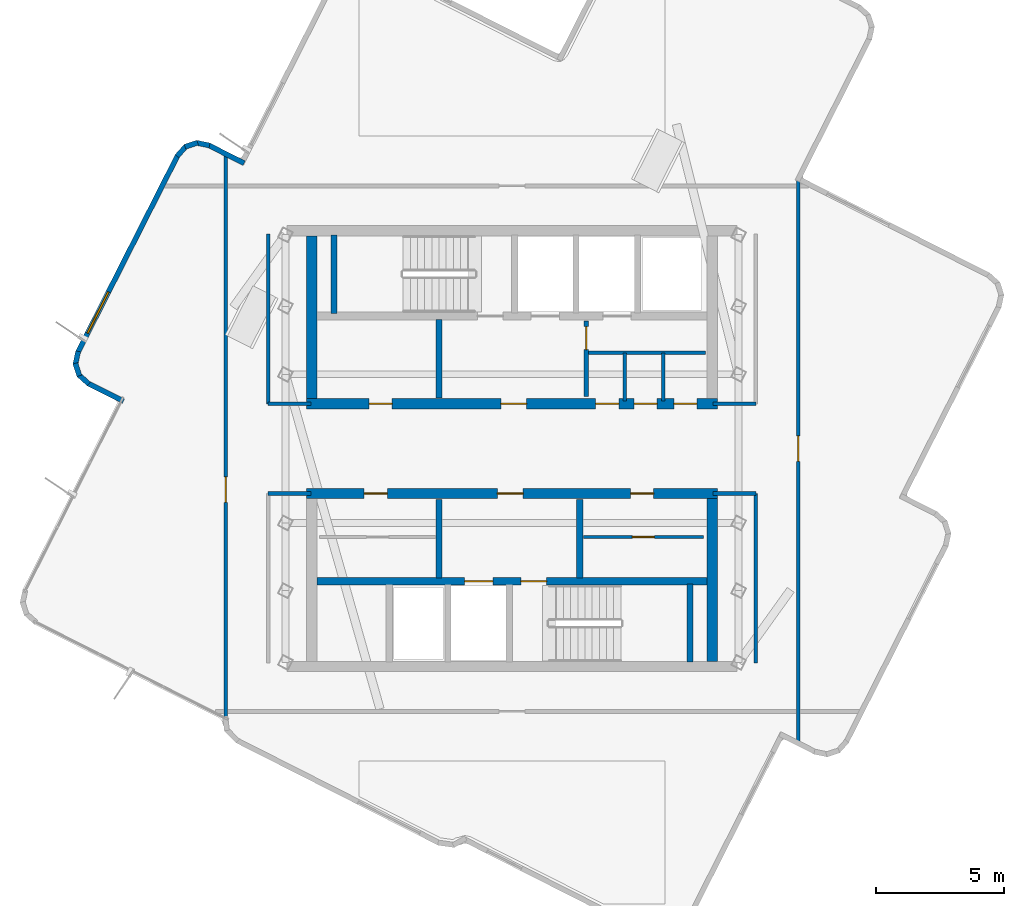
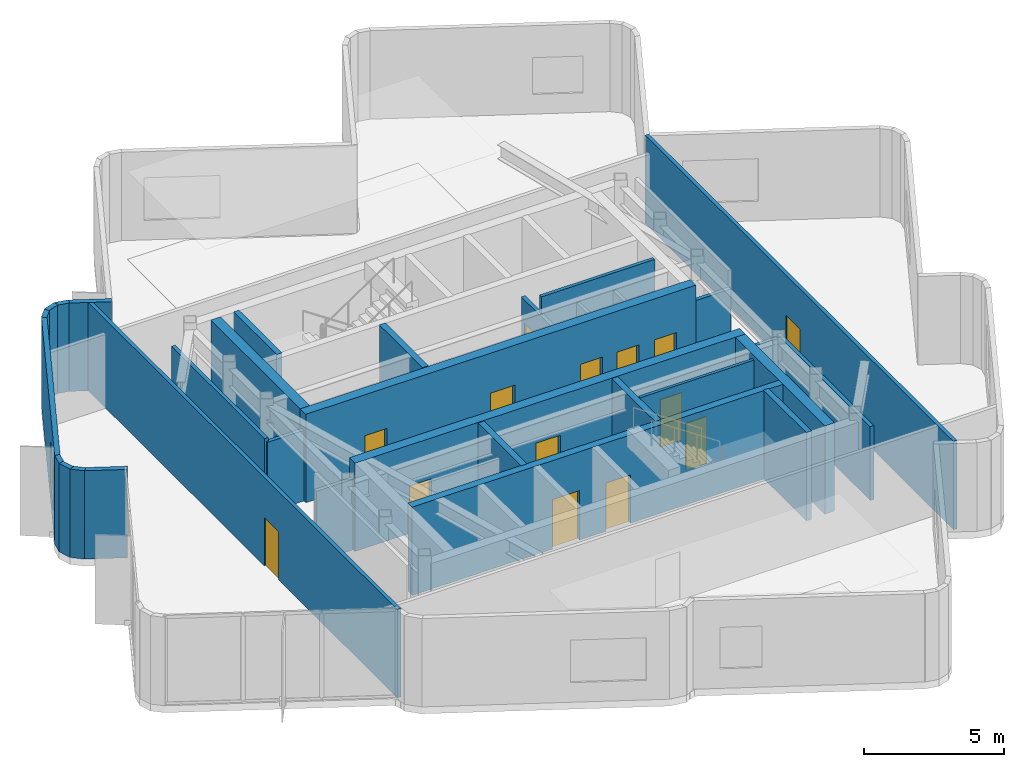
# One storey, part 3 of 8: 32 walls, 14 doors, 1 window, 15 openings.
"""IFC4 building model written with IfcOpenShell, lengths in metres."""

from ifc_helpers import new_model, si_unit, direction, frame, frame_2d, origin, place, context, subcontext, project, spatial, rectangle, extrude, material, layer, layer_set, type_object, element, fill, save


model = new_model("IFC4")

# Units and contexts
model_context = context("Model", 3, precision=1e-05, world=origin(), true_north=direction((0.0, 1.0)))
body_context = subcontext(model_context, "Body", "Model", "MODEL_VIEW")
ifc_project = project(units=[si_unit("LENGTHUNIT", "METRE"), si_unit("AREAUNIT", "SQUARE_METRE"), si_unit("VOLUMEUNIT", "CUBIC_METRE"), si_unit("PLANEANGLEUNIT", "RADIAN"), si_unit("MASSUNIT", "GRAM", prefix="KILO")], contexts=[model_context])

# Site, building, storey
site_placement = place(None, origin())
site = spatial("IfcSite", under=ifc_project, at=site_placement, CompositionType="ELEMENT")
building_placement = place(site_placement, origin())
building = spatial("IfcBuilding", under=site, at=building_placement, Name="Solmarez Civic Tower", CompositionType="ELEMENT")
storey_placement = place(building_placement, frame((0.0, 0.0, 289.260009765625)))
storey = spatial("IfcBuildingStorey", under=building, at=storey_placement, Name="L78 Crown", CompositionType="ELEMENT", Elevation=289.260009765625)

# Wall, openings, doors
ifc_material_1 = material(Name="Concrete C50/60", Category="concrete")
ifc_layer_1 = layer(ifc_material_1, 0.39990234375)
ifc_layer_set_1 = layer_set([ifc_layer_1], Name="Concrete C50/60")
wall_type_1 = type_object("IfcWallType", Name="WALL-CORE-400", PredefinedType="SHEAR", material=ifc_layer_set_1)
wall_1_placement = place(storey_placement, frame((8.02001953125, 1.75, 0.0), z_axis=(0.0, 0.0, 1.0), x_axis=(-1.0, 0.0, 0.0)))
wall_1 = element("IfcWall", 1, at=wall_1_placement, inside=storey, type_object=wall_type_1, Name="L78 Crown Split-Core Structural Wall NCW-S-L78 Crown", PredefinedType="SHEAR", context=body_context, shape_type="SweptSolid", body=[
    extrude(rectangle(XDim=16.0400390625, YDim=0.39990234375, at=frame_2d((8.02001953125, 0.0))), origin(), (0.0, 0.0, 1.0), 3.840087890625),
])
opening_1_placement = place(wall_1_placement, frame((7.449951171875, 0.0, 0.0)))
opening_1 = element("IfcOpeningElement", 2, at=opening_1_placement, cuts=wall_1, Name="Opening D-04", PredefinedType="OPENING", context=body_context, shape_type="SweptSolid", body=[
    extrude(rectangle(XDim=1.0, YDim=2.10009765625, at=frame_2d((0.5, 1.050048828125))), frame((0.0, 0.2099609375, 0.0), z_axis=(0.0, -1.0, 0.0), x_axis=(1.0, 0.0, 0.0)), (0.0, 0.0, 1.0), 0.419921875),
])
opening_2_placement = place(wall_1_placement, frame((12.699951171875, 0.0, 0.0)))
opening_2 = element("IfcOpeningElement", 3, at=opening_2_placement, cuts=wall_1, Name="Opening D-09", PredefinedType="OPENING", context=body_context, shape_type="SweptSolid", body=[
    extrude(rectangle(XDim=0.89990234375, YDim=2.06005859375, at=frame_2d((0.449951171875, 1.030029296875))), frame((0.0, 0.2099609375, 0.0), z_axis=(0.0, -1.0, 0.0), x_axis=(1.0, 0.0, 0.0)), (0.0, 0.0, 1.0), 0.419921875),
])
opening_3_placement = place(wall_1_placement, frame((3.85009765625, 0.0, 0.0)))
opening_3 = element("IfcOpeningElement", 4, at=opening_3_placement, cuts=wall_1, Name="Opening D-09", PredefinedType="OPENING", context=body_context, shape_type="SweptSolid", body=[
    extrude(rectangle(XDim=0.89990234375, YDim=2.06005859375, at=frame_2d((0.449951171875, 1.030029296875))), frame((0.0, 0.2099609375, 0.0), z_axis=(0.0, -1.0, 0.0), x_axis=(1.0, 0.0, 0.0)), (0.0, 0.0, 1.0), 0.419921875),
])
opening_4_placement = place(wall_1_placement, frame((2.35009765625, 0.0, 0.0)))
opening_4 = element("IfcOpeningElement", 5, at=opening_4_placement, cuts=wall_1, Name="Opening D-09", PredefinedType="OPENING", context=body_context, shape_type="SweptSolid", body=[
    extrude(rectangle(XDim=0.89990234375, YDim=2.06005859375, at=frame_2d((0.449951171875, 1.030029296875))), frame((0.0, 0.2099609375, 0.0), z_axis=(0.0, -1.0, 0.0), x_axis=(1.0, 0.0, 0.0)), (0.0, 0.0, 1.0), 0.419921875),
])
opening_5_placement = place(wall_1_placement, frame((0.800048828125, 0.0, 0.0)))
opening_5 = element("IfcOpeningElement", 6, at=opening_5_placement, cuts=wall_1, Name="Opening D-09", PredefinedType="OPENING", context=body_context, shape_type="SweptSolid", body=[
    extrude(rectangle(XDim=0.89990234375, YDim=2.06005859375, at=frame_2d((0.449951171875, 1.030029296875))), frame((0.0, 0.2099609375, 0.0), z_axis=(0.0, -1.0, 0.0), x_axis=(1.0, 0.0, 0.0)), (0.0, 0.0, 1.0), 0.419921875),
])
ifc_material_2 = material(Name="Steel-Faced Acoustic Fire Door", Category="steel")
door_type_1 = type_object("IfcDoorType", Name="DOOR-FD60-1000", OperationType="NOTDEFINED", PredefinedType="DOOR", material=ifc_material_2)
door_1_placement = place(opening_1_placement, origin())
door_1 = element("IfcDoor", 7, at=door_1_placement, inside=storey, type_object=door_type_1, Name="L78 Crown North Firefighting Lobby Door", OperationType="SINGLE_SWING_LEFT", OverallHeight=2.10009765625, OverallWidth=1.0, PredefinedType="DOOR", context=body_context, shape_type="SweptSolid", body=[
    extrude(rectangle(XDim=1.0, YDim=2.10009765625, at=frame_2d((0.5, 1.050048828125))), frame((0.0, 0.02490234375, 0.0), z_axis=(0.0, -1.0, 0.0), x_axis=(1.0, 0.0, 0.0)), (0.0, 0.0, 1.0), 0.050048828125),
])
fill(opening_1, door_1)
ifc_material_3 = material(Name="Fire-Rated Service Core Door", Category="wood")
door_type_2 = type_object("IfcDoorType", Name="DOOR-FD60-900", OperationType="NOTDEFINED", PredefinedType="DOOR", material=ifc_material_3)
door_2_placement = place(opening_2_placement, origin())
door_2 = element("IfcDoor", 8, at=door_2_placement, inside=storey, type_object=door_type_2, Name="L78 Crown Crown Catering Pantry Door", OperationType="SINGLE_SWING_LEFT", OverallHeight=2.06005859375, OverallWidth=0.89990234375, PredefinedType="DOOR", context=body_context, shape_type="SweptSolid", body=[
    extrude(rectangle(XDim=0.89990234375, YDim=2.06005859375, at=frame_2d((0.449951171875, 1.030029296875))), frame((0.0, 0.02490234375, 0.0), z_axis=(0.0, -1.0, 0.0), x_axis=(1.0, 0.0, 0.0)), (0.0, 0.0, 1.0), 0.050048828125),
])
fill(opening_2, door_2)
door_3_placement = place(opening_3_placement, origin())
door_3 = element("IfcDoor", 9, at=door_3_placement, inside=storey, type_object=door_type_2, Name="L78 Crown Core WC Door", OperationType="SINGLE_SWING_RIGHT", OverallHeight=2.06005859375, OverallWidth=0.89990234375, PredefinedType="DOOR", context=body_context, shape_type="SweptSolid", body=[
    extrude(rectangle(XDim=0.89990234375, YDim=2.06005859375, at=frame_2d((0.449951171875, 1.030029296875))), frame((0.0, 0.02490234375, 0.0), z_axis=(0.0, -1.0, 0.0), x_axis=(1.0, 0.0, 0.0)), (0.0, 0.0, 1.0), 0.050048828125),
])
fill(opening_3, door_3)
door_4_placement = place(opening_4_placement, origin())
door_4 = element("IfcDoor", 10, at=door_4_placement, inside=storey, type_object=door_type_2, Name="L78 Crown Core CL Door", OperationType="SINGLE_SWING_LEFT", OverallHeight=2.06005859375, OverallWidth=0.89990234375, PredefinedType="DOOR", context=body_context, shape_type="SweptSolid", body=[
    extrude(rectangle(XDim=0.89990234375, YDim=2.06005859375, at=frame_2d((0.449951171875, 1.030029296875))), frame((0.0, 0.02490234375, 0.0), z_axis=(0.0, -1.0, 0.0), x_axis=(1.0, 0.0, 0.0)), (0.0, 0.0, 1.0), 0.050048828125),
])
fill(opening_4, door_4)
door_5_placement = place(opening_5_placement, origin())
door_5 = element("IfcDoor", 11, at=door_5_placement, inside=storey, type_object=door_type_2, Name="L78 Crown Core IT Door", OperationType="SINGLE_SWING_LEFT", OverallHeight=2.06005859375, OverallWidth=0.89990234375, PredefinedType="DOOR", context=body_context, shape_type="SweptSolid", body=[
    extrude(rectangle(XDim=0.89990234375, YDim=2.06005859375, at=frame_2d((0.449951171875, 1.030029296875))), frame((0.0, 0.02490234375, 0.0), z_axis=(0.0, -1.0, 0.0), x_axis=(1.0, 0.0, 0.0)), (0.0, 0.0, 1.0), 0.050048828125),
])
fill(opening_5, door_5)

# Wall
wall_2_placement = place(storey_placement, frame((-7.820068359375, 1.949951171875, 0.0), z_axis=(0.0, 0.0, 1.0), x_axis=(0.0, 1.0, 0.0)))
element("IfcWall", 12, at=wall_2_placement, inside=storey, type_object=wall_type_1, Name="L78 Crown Split-Core Structural Wall NCW-W-L78 Crown", PredefinedType="SHEAR", context=body_context, shape_type="SweptSolid", body=[
    extrude(rectangle(XDim=6.360107421875, YDim=0.39990234375, at=frame_2d((3.18017578125, 0.0))), origin(), (0.0, 0.0, 1.0), 3.840087890625),
])

# Wall, openings, doors
wall_3_placement = place(storey_placement, frame((-8.02001953125, -1.75, 0.0), z_axis=(0.0, 0.0, 1.0), x_axis=(1.0, 0.0, 0.0)))
wall_3 = element("IfcWall", 13, at=wall_3_placement, inside=storey, type_object=wall_type_1, Name="L78 Crown Split-Core Structural Wall SCW-N-L78 Crown", PredefinedType="SHEAR", context=body_context, shape_type="SweptSolid", body=[
    extrude(rectangle(XDim=16.0400390625, YDim=0.39990234375, at=frame_2d((8.02001953125, 0.0))), origin(), (0.0, 0.0, 1.0), 3.840087890625),
])
opening_6_placement = place(wall_3_placement, frame((7.449951171875, 0.0, 0.0)))
opening_6 = element("IfcOpeningElement", 14, at=opening_6_placement, cuts=wall_3, Name="Opening D-04", PredefinedType="OPENING", context=body_context, shape_type="SweptSolid", body=[
    extrude(rectangle(XDim=1.0, YDim=2.10009765625, at=frame_2d((0.5, 1.050048828125))), frame((0.0, 0.2099609375, 0.0), z_axis=(0.0, -1.0, 0.0), x_axis=(1.0, 0.0, 0.0)), (0.0, 0.0, 1.0), 0.419921875),
])
opening_7_placement = place(wall_3_placement, frame((12.64990234375, 0.0, 0.0)))
opening_7 = element("IfcOpeningElement", 15, at=opening_7_placement, cuts=wall_3, Name="Opening D-09", PredefinedType="OPENING", context=body_context, shape_type="SweptSolid", body=[
    extrude(rectangle(XDim=0.89990234375, YDim=2.06005859375, at=frame_2d((0.449951171875, 1.030029296875))), frame((0.0, 0.2099609375, 0.0), z_axis=(0.0, -1.0, 0.0), x_axis=(1.0, 0.0, 0.0)), (0.0, 0.0, 1.0), 0.419921875),
])
opening_8_placement = place(wall_3_placement, frame((2.25, 0.0, 0.0)))
opening_8 = element("IfcOpeningElement", 16, at=opening_8_placement, cuts=wall_3, Name="Opening D-09", PredefinedType="OPENING", context=body_context, shape_type="SweptSolid", body=[
    extrude(rectangle(XDim=0.89990234375, YDim=2.06005859375, at=frame_2d((0.449951171875, 1.030029296875))), frame((0.0, 0.2099609375, 0.0), z_axis=(0.0, -1.0, 0.0), x_axis=(1.0, 0.0, 0.0)), (0.0, 0.0, 1.0), 0.419921875),
])
door_6_placement = place(opening_6_placement, origin())
door_6 = element("IfcDoor", 17, at=door_6_placement, inside=storey, type_object=door_type_1, Name="L78 Crown South Firefighting Lobby Door", OperationType="SINGLE_SWING_RIGHT", OverallHeight=2.10009765625, OverallWidth=1.0, PredefinedType="DOOR", context=body_context, shape_type="SweptSolid", body=[
    extrude(rectangle(XDim=1.0, YDim=2.10009765625, at=frame_2d((0.5, 1.050048828125))), frame((0.0, 0.02490234375, 0.0), z_axis=(0.0, -1.0, 0.0), x_axis=(1.0, 0.0, 0.0)), (0.0, 0.0, 1.0), 0.050048828125),
])
fill(opening_6, door_6)
door_7_placement = place(opening_7_placement, origin())
door_7 = element("IfcDoor", 18, at=door_7_placement, inside=storey, type_object=door_type_2, Name="L78 Crown Freed Hoistway Mailroom Door", OperationType="SINGLE_SWING_LEFT", OverallHeight=2.06005859375, OverallWidth=0.89990234375, PredefinedType="DOOR", context=body_context, shape_type="SweptSolid", body=[
    extrude(rectangle(XDim=0.89990234375, YDim=2.06005859375, at=frame_2d((0.449951171875, 1.030029296875))), frame((0.0, 0.02490234375, 0.0), z_axis=(0.0, -1.0, 0.0), x_axis=(1.0, 0.0, 0.0)), (0.0, 0.0, 1.0), 0.050048828125),
])
fill(opening_7, door_7)
door_8_placement = place(opening_8_placement, origin())
door_8 = element("IfcDoor", 19, at=door_8_placement, inside=storey, type_object=door_type_2, Name="L78 Crown Staff Kitchenette Pantry Door", OperationType="SINGLE_SWING_RIGHT", OverallHeight=2.06005859375, OverallWidth=0.89990234375, PredefinedType="DOOR", context=body_context, shape_type="SweptSolid", body=[
    extrude(rectangle(XDim=0.89990234375, YDim=2.06005859375, at=frame_2d((0.449951171875, 1.030029296875))), frame((0.0, 0.02490234375, 0.0), z_axis=(0.0, -1.0, 0.0), x_axis=(1.0, 0.0, 0.0)), (0.0, 0.0, 1.0), 0.050048828125),
])
fill(opening_8, door_8)

# Walls
wall_4_placement = place(storey_placement, frame((7.820068359375, -1.949951171875, 0.0), z_axis=(0.0, 0.0, 1.0), x_axis=(0.0, -1.0, 0.0)))
element("IfcWall", 20, at=wall_4_placement, inside=storey, type_object=wall_type_1, Name="L78 Crown Split-Core Structural Wall SCW-E-L78 Crown", PredefinedType="SHEAR", context=body_context, shape_type="SweptSolid", body=[
    extrude(rectangle(XDim=6.360107421875, YDim=0.39990234375, at=frame_2d((3.18017578125, 0.0))), origin(), (0.0, 0.0, 1.0), 3.840087890625),
])
ifc_material_4 = material(Name="Precast concrete C40/50", Category="concrete")
ifc_layer_2 = layer(ifc_material_4, 0.199951171875)
ifc_layer_set_2 = layer_set([ifc_layer_2], Name="Precast concrete C40/50")
wall_type_2 = type_object("IfcWallType", Name="WALL-EXT-200", PredefinedType="SOLIDWALL", material=ifc_layer_set_2)
wall_5_placement = place(storey_placement, frame((-15.173095703125, 1.85009765625, 0.0), z_axis=(0.0, 0.0, 1.0), x_axis=(-0.892006356627, 0.452022853113, 0.0)))
element("IfcWall", 21, at=wall_5_placement, inside=storey, type_object=wall_type_2, Name="L78 Crown Exterior Precast Wall 10", PredefinedType="SOLIDWALL", context=body_context, shape_type="SweptSolid", body=[
    extrude(rectangle(XDim=1.5615234375, YDim=0.199951171875, at=frame_2d((0.78076171875, 0.0))), origin(), (0.0, 0.0, 1.0), 3.840087890625),
])
wall_6_placement = place(storey_placement, frame((-16.52490234375, 2.528076171875, 0.0), z_axis=(0.0, 0.0, 1.0), x_axis=(-0.743983074, 0.668198462735, 0.0)))
element("IfcWall", 22, at=wall_6_placement, inside=storey, type_object=wall_type_2, Name="L78 Crown Exterior Precast Wall 11", PredefinedType="SOLIDWALL", context=body_context, shape_type="SweptSolid", body=[
    extrude(rectangle(XDim=0.5283203125, YDim=0.199951171875, at=frame_2d((0.26416015625, 0.0))), origin(), (0.0, 0.0, 1.0), 3.840087890625),
])
wall_7_placement = place(storey_placement, frame((-16.89111328125, 2.840087890625, 0.0), z_axis=(0.0, 0.0, 1.0), x_axis=(-0.312526265177, 0.949909118587, 0.0)))
element("IfcWall", 23, at=wall_7_placement, inside=storey, type_object=wall_type_2, Name="L78 Crown Exterior Precast Wall 12", PredefinedType="SOLIDWALL", context=body_context, shape_type="SweptSolid", body=[
    extrude(rectangle(XDim=0.514892578125, YDim=0.199951171875, at=frame_2d((0.25732421875, 0.0))), origin(), (0.0, 0.0, 1.0), 3.840087890625),
])
wall_8_placement = place(storey_placement, frame((-17.049072265625, 3.281005859375, 0.0), z_axis=(0.0, 0.0, 1.0), x_axis=(0.207342794077, 0.978268350579, 0.0)))
element("IfcWall", 24, at=wall_8_placement, inside=storey, type_object=wall_type_2, Name="L78 Crown Exterior Precast Wall 13", PredefinedType="SOLIDWALL", context=body_context, shape_type="SweptSolid", body=[
    extrude(rectangle(XDim=0.5263671875, YDim=0.199951171875, at=frame_2d((0.26318359375, 0.0))), origin(), (0.0, 0.0, 1.0), 3.840087890625),
])

# Wall, opening, window
wall_9_placement = place(storey_placement, frame((-16.9560546875, 3.75, 0.0), z_axis=(0.0, 0.0, 1.0), x_axis=(0.452065793094, 0.891984595559, 0.0)))
wall_9 = element("IfcWall", 25, at=wall_9_placement, inside=storey, type_object=wall_type_2, Name="L78 Crown Exterior Precast Wall 14", PredefinedType="SOLIDWALL", context=body_context, shape_type="SweptSolid", body=[
    extrude(rectangle(XDim=8.642578125, YDim=0.199951171875, at=frame_2d((4.3212890625, 0.0))), origin(), (0.0, 0.0, 1.0), 3.840087890625),
])
opening_9_placement = place(wall_9_placement, frame((0.85009765625, 0.0, 0.85009765625)))
opening_9 = element("IfcOpeningElement", 26, at=opening_9_placement, cuts=wall_9, Name="Opening W-08", PredefinedType="OPENING", context=body_context, shape_type="SweptSolid", body=[
    extrude(rectangle(XDim=1.800048828125, YDim=1.800048828125, at=frame_2d((0.89990234375, 0.89990234375))), frame((0.0, 0.10986328125, 0.0), z_axis=(0.0, -1.0, 0.0), x_axis=(1.0, 0.0, 0.0)), (0.0, 0.0, 1.0), 0.219970703125),
])
ifc_material_5 = material(Name="Solar Control Bronze-Tinted Insulating Glass", Category="glass")
window_type = type_object("IfcWindowType", Name="WIN-1800X1800", PartitioningType="SINGLE_PANEL", PredefinedType="WINDOW", material=ifc_material_5)
window_placement = place(opening_9_placement, origin())
window = element("IfcWindow", 27, at=window_placement, inside=storey, type_object=window_type, Name="L78 Crown Exterior Facade Window 14", OverallHeight=1.800048828125, OverallWidth=1.800048828125, PartitioningType="SINGLE_PANEL", PredefinedType="WINDOW", context=body_context, shape_type="SweptSolid", body=[
    extrude(rectangle(XDim=1.800048828125, YDim=1.800048828125, at=frame_2d((0.89990234375, 0.89990234375))), frame((0.0, 0.030029296875, 0.0), z_axis=(0.0, -1.0, 0.0), x_axis=(1.0, 0.0, 0.0)), (0.0, 0.0, 1.0), 0.06005859375),
])
fill(opening_9, window)

# Walls
wall_10_placement = place(storey_placement, frame((-13.076904296875, 11.41796875, 0.0), z_axis=(0.0, 0.0, 1.0), x_axis=(0.667024211776, 0.745036040004, 0.0)))
element("IfcWall", 28, at=wall_10_placement, inside=storey, type_object=wall_type_2, Name="L78 Crown Exterior Precast Wall 15", PredefinedType="SOLIDWALL", context=body_context, shape_type="SweptSolid", body=[
    extrude(rectangle(XDim=0.52880859375, YDim=0.199951171875, at=frame_2d((0.264404296875, 0.0))), origin(), (0.0, 0.0, 1.0), 3.840087890625),
])
wall_11_placement = place(storey_placement, frame((-12.764892578125, 11.784912109375, 0.0), z_axis=(0.0, 0.0, 1.0), x_axis=(0.950330805768, 0.311241641829, 0.0)))
element("IfcWall", 29, at=wall_11_placement, inside=storey, type_object=wall_type_2, Name="L78 Crown Exterior Precast Wall 16", PredefinedType="SOLIDWALL", context=body_context, shape_type="SweptSolid", body=[
    extrude(rectangle(XDim=0.5146484375, YDim=0.199951171875, at=frame_2d((0.25732421875, 0.0))), origin(), (0.0, 0.0, 1.0), 3.840087890625),
])
wall_12_placement = place(storey_placement, frame((-12.323974609375, 11.94189453125, 0.0), z_axis=(0.0, 0.0, 1.0), x_axis=(0.978736488985, -0.20512163496, 0.0)))
element("IfcWall", 30, at=wall_12_placement, inside=storey, type_object=wall_type_2, Name="L78 Crown Exterior Precast Wall 17", PredefinedType="SOLIDWALL", context=body_context, shape_type="SweptSolid", body=[
    extrude(rectangle(XDim=0.526123046875, YDim=0.199951171875, at=frame_2d((0.26318359375, 0.0))), origin(), (0.0, 0.0, 1.0), 3.840087890625),
])
wall_13_placement = place(storey_placement, frame((-11.85498046875, 11.85009765625, 0.0), z_axis=(0.0, 0.0, 1.0), x_axis=(0.891975264725, -0.452084203572, 0.0)))
element("IfcWall", 31, at=wall_13_placement, inside=storey, type_object=wall_type_2, Name="L78 Crown Exterior Precast Wall 18", PredefinedType="SOLIDWALL", context=body_context, shape_type="SweptSolid", body=[
    extrude(rectangle(XDim=1.561767578125, YDim=0.199951171875, at=frame_2d((0.78076171875, 0.0))), origin(), (0.0, 0.0, 1.0), 3.840087890625),
])
ifc_material_6 = material(Name="Gypsum Board Acoustic Steel-Stud Partition", Category="steel")
ifc_layer_3 = layer(ifc_material_6, 0.14990234375)
ifc_layer_set_3 = layer_set([ifc_layer_3], Name="Gypsum Board Acoustic Steel-Stud Partition")
wall_type_3 = type_object("IfcWallType", Name="WALL-INT-FIRE-150", PredefinedType="PARTITIONING", material=ifc_layer_set_3)
wall_14_placement = place(storey_placement, frame((-9.52001953125, 1.75, 0.0), z_axis=(0.0, 0.0, 1.0), x_axis=(0.0, 1.0, 0.0)))
element("IfcWall", 32, at=wall_14_placement, inside=storey, type_object=wall_type_3, Name="L78 Crown Interior Partition CHW-L78 Crown-WN1", PredefinedType="PARTITIONING", context=body_context, shape_type="SweptSolid", body=[
    extrude(rectangle(XDim=6.6298828125, YDim=0.14990234375, at=frame_2d((3.31494140625, 0.0))), origin(), (0.0, 0.0, 1.0), 3.2099609375),
])
for number, where, z_axis, x_axis, name in (
    (33, (-7.85009765625, 1.75, 0.0), (0.0, 0.0, 1.0), (-1.0, 0.0, 0.0), "L78 Crown Interior Partition CHW-L78 Crown-WN3"),
    (34, (-7.85009765625, -1.75, 0.0), (0.0, 0.0, 1.0), (-1.0, 0.0, 0.0), "L78 Crown Interior Partition CHW-L78 Crown-WS3"),
    (35, (7.85009765625, 1.75, 0.0), (0.0, 0.0, 1.0), (1.0, 0.0, 0.0), "L78 Crown Interior Partition CHW-L78 Crown-EN3"),
):
    element("IfcWall", number, at=place(storey_placement, frame(where, z_axis=z_axis, x_axis=x_axis)), inside=storey, type_object=wall_type_3, Name=name, PredefinedType="PARTITIONING", context=body_context, shape_type="SweptSolid", body=[
        extrude(rectangle(XDim=1.669921875, YDim=0.14990234375, at=frame_2d((0.8349609375, 0.0))), origin(), (0.0, 0.0, 1.0), 3.070068359375),
    ])
wall_15_placement = place(storey_placement, frame((9.52001953125, -8.3798828125, 0.0), z_axis=(0.0, 0.0, 1.0), x_axis=(0.0, 1.0, 0.0)))
element("IfcWall", 36, at=wall_15_placement, inside=storey, type_object=wall_type_3, Name="L78 Crown Interior Partition CHW-L78 Crown-ES1", PredefinedType="PARTITIONING", context=body_context, shape_type="SweptSolid", body=[
    extrude(rectangle(XDim=6.6298828125, YDim=0.14990234375, at=frame_2d((3.31494140625, 0.0))), origin(), (0.0, 0.0, 1.0), 3.2099609375),
])
wall_16_placement = place(storey_placement, frame((7.85009765625, -1.75, 0.0), z_axis=(0.0, 0.0, 1.0), x_axis=(1.0, 0.0, 0.0)))
element("IfcWall", 37, at=wall_16_placement, inside=storey, type_object=wall_type_3, Name="L78 Crown Interior Partition CHW-L78 Crown-ES3", PredefinedType="PARTITIONING", context=body_context, shape_type="SweptSolid", body=[
    extrude(rectangle(XDim=1.669921875, YDim=0.14990234375, at=frame_2d((0.8349609375, 0.0))), origin(), (0.0, 0.0, 1.0), 3.070068359375),
])

# Wall, opening, door
wall_17_placement = place(storey_placement, frame((11.179931640625, 10.52197265625, 0.0), z_axis=(0.0, 0.0, 1.0), x_axis=(0.0, -1.0, 0.0)))
wall_17 = element("IfcWall", 38, at=wall_17_placement, inside=storey, type_object=wall_type_3, Name="L78 Crown Interior Partition PT-L78 Crown-E", PredefinedType="PARTITIONING", context=body_context, shape_type="SweptSolid", body=[
    extrude(rectangle(XDim=21.95703125, YDim=0.14990234375, at=frame_2d((10.978515625, 0.0))), origin(), (0.0, 0.0, 1.0), 3.840087890625),
])
opening_10_placement = place(wall_17_placement, frame((10.02197265625, 0.0, 0.0)))
opening_10 = element("IfcOpeningElement", 39, at=opening_10_placement, cuts=wall_17, Name="Opening D-04", PredefinedType="OPENING", context=body_context, shape_type="SweptSolid", body=[
    extrude(rectangle(XDim=1.0, YDim=2.10009765625, at=frame_2d((0.5, 1.050048828125))), frame((0.0, 0.0849609375, 0.0), z_axis=(0.0, -1.0, 0.0), x_axis=(1.0, 0.0, 0.0)), (0.0, 0.0, 1.0), 0.169921875),
])
door_9_placement = place(opening_10_placement, origin())
door_9 = element("IfcDoor", 40, at=door_9_placement, inside=storey, type_object=door_type_1, Name="L78 Crown Botanical Conservatory Garden Door", OperationType="SINGLE_SWING_LEFT", OverallHeight=2.10009765625, OverallWidth=1.0, PredefinedType="DOOR", context=body_context, shape_type="SweptSolid", body=[
    extrude(rectangle(XDim=1.0, YDim=2.10009765625, at=frame_2d((0.5, 1.050048828125))), frame((0.0, 0.02490234375, 0.0), z_axis=(0.0, -1.0, 0.0), x_axis=(1.0, 0.0, 0.0)), (0.0, 0.0, 1.0), 0.050048828125),
])
fill(opening_10, door_9)

wall_18_placement = place(storey_placement, frame((-11.179931640625, -10.568115234375, 0.0), z_axis=(0.0, 0.0, 1.0), x_axis=(0.0, 1.0, 0.0)))
wall_18 = element("IfcWall", 41, at=wall_18_placement, inside=storey, type_object=wall_type_3, Name="L78 Crown Interior Partition PT-L78 Crown-W", PredefinedType="PARTITIONING", context=body_context, shape_type="SweptSolid", body=[
    extrude(rectangle(XDim=22.003173828125, YDim=0.14990234375, at=frame_2d((11.00146484375, 0.0))), origin(), (0.0, 0.0, 1.0), 3.840087890625),
])
opening_11_placement = place(wall_18_placement, frame((8.468017578125, 0.0, 0.0)))
opening_11 = element("IfcOpeningElement", 42, at=opening_11_placement, cuts=wall_18, Name="Opening D-04", PredefinedType="OPENING", context=body_context, shape_type="SweptSolid", body=[
    extrude(rectangle(XDim=1.0, YDim=2.10009765625, at=frame_2d((0.5, 1.050048828125))), frame((0.0, 0.0849609375, 0.0), z_axis=(0.0, -1.0, 0.0), x_axis=(1.0, 0.0, 0.0)), (0.0, 0.0, 1.0), 0.169921875),
])
door_10_placement = place(opening_11_placement, origin())
door_10 = element("IfcDoor", 43, at=door_10_placement, inside=storey, type_object=door_type_1, Name="L78 Crown Tropical Orchid Reading Garden Door", OperationType="SINGLE_SWING_LEFT", OverallHeight=2.10009765625, OverallWidth=1.0, PredefinedType="DOOR", context=body_context, shape_type="SweptSolid", body=[
    extrude(rectangle(XDim=1.0, YDim=2.10009765625, at=frame_2d((0.5, 1.050048828125))), frame((0.0, 0.02490234375, 0.0), z_axis=(0.0, -1.0, 0.0), x_axis=(1.0, 0.0, 0.0)), (0.0, 0.0, 1.0), 0.050048828125),
])
fill(opening_11, door_10)

ifc_layer_4 = layer(ifc_material_6, 0.1201171875)
ifc_layer_set_4 = layer_set([ifc_layer_4], Name="Gypsum Board Acoustic Steel-Stud Partition")
wall_type_4 = type_object("IfcWallType", Name="WALL-INT-PART-120", PredefinedType="PARTITIONING", material=ifc_layer_set_4)
wall_19_placement = place(storey_placement, frame((2.800048828125, -3.449951171875, 0.0), z_axis=(0.0, 0.0, 1.0), x_axis=(1.0, 0.0, 0.0)))
wall_19 = element("IfcWall", 44, at=wall_19_placement, inside=storey, type_object=wall_type_4, Name="L78 Crown Interior Partition PT-FPLL-L78 Crown", PredefinedType="PARTITIONING", context=body_context, shape_type="SweptSolid", body=[
    extrude(rectangle(XDim=4.679931640625, YDim=0.1201171875, at=frame_2d((2.33984375, 0.0))), origin(), (0.0, 0.0, 1.0), 3.840087890625),
])
opening_12_placement = place(wall_19_placement, frame((1.89990234375, 0.0, 0.0)))
opening_12 = element("IfcOpeningElement", 45, at=opening_12_placement, cuts=wall_19, Name="Opening D-14", PredefinedType="OPENING", context=body_context, shape_type="SweptSolid", body=[
    extrude(rectangle(XDim=0.860107421875, YDim=2.0400390625, at=frame_2d((0.43017578125, 1.02001953125))), frame((0.0, 0.070068359375, 0.0), z_axis=(0.0, -1.0, 0.0), x_axis=(1.0, 0.0, 0.0)), (0.0, 0.0, 1.0), 0.14013671875),
])
ifc_material_7 = material(Name="Timber Storage and Pantry Door", Category="wood")
door_type_3 = type_object("IfcDoorType", Name="DOOR-INT-850", OperationType="NOTDEFINED", PredefinedType="DOOR", material=ifc_material_7)
door_11_placement = place(opening_12_placement, origin())
door_11 = element("IfcDoor", 46, at=door_11_placement, inside=storey, type_object=door_type_3, Name="L78 Crown Records Filing Room Door", OperationType="SINGLE_SWING_LEFT", OverallHeight=2.0400390625, OverallWidth=0.860107421875, PredefinedType="DOOR", context=body_context, shape_type="SweptSolid", body=[
    extrude(rectangle(XDim=0.860107421875, YDim=2.0400390625, at=frame_2d((0.43017578125, 1.02001953125))), frame((0.0, 0.02490234375, 0.0), z_axis=(0.0, -1.0, 0.0), x_axis=(1.0, 0.0, 0.0)), (0.0, 0.0, 1.0), 0.050048828125),
])
fill(opening_12, door_11)

ifc_layer_5 = layer(ifc_material_6, 0.159912109375)
ifc_layer_set_5 = layer_set([ifc_layer_5], Name="Gypsum Board Acoustic Steel-Stud Partition")
wall_type_5 = type_object("IfcWallType", Name="WALL-INT-SHAFT-160", PredefinedType="PARTITIONING", material=ifc_layer_set_5)
wall_20_placement = place(storey_placement, frame((2.89990234375, 2.0400390625, 0.0), z_axis=(0.0, 0.0, 1.0), x_axis=(0.0, 1.0, 0.0)))
wall_20 = element("IfcWall", 47, at=wall_20_placement, inside=storey, type_object=wall_type_5, Name="L78 Crown Interior Partition SHW-NL2-L78 Crown", PredefinedType="PARTITIONING", context=body_context, shape_type="SweptSolid", body=[
    extrude(rectangle(XDim=2.93994140625, YDim=0.159912109375, at=frame_2d((1.469970703125, 0.0))), origin(), (0.0, 0.0, 1.0), 3.070068359375),
])
opening_13_placement = place(wall_20_placement, frame((1.820068359375, 0.0, 0.0)))
opening_13 = element("IfcOpeningElement", 48, at=opening_13_placement, cuts=wall_20, Name="Opening D-09", PredefinedType="OPENING", context=body_context, shape_type="SweptSolid", body=[
    extrude(rectangle(XDim=0.89990234375, YDim=2.06005859375, at=frame_2d((0.449951171875, 1.030029296875))), frame((0.0, 0.08984375, 0.0), z_axis=(0.0, -1.0, 0.0), x_axis=(1.0, 0.0, 0.0)), (0.0, 0.0, 1.0), 0.179931640625),
])
door_12_placement = place(opening_13_placement, origin())
door_12 = element("IfcDoor", 49, at=door_12_placement, inside=storey, type_object=door_type_2, Name="L78 Crown Service Lift Lobby Door", OperationType="SINGLE_SWING_LEFT", OverallHeight=2.06005859375, OverallWidth=0.89990234375, PredefinedType="DOOR", context=body_context, shape_type="SweptSolid", body=[
    extrude(rectangle(XDim=0.89990234375, YDim=2.06005859375, at=frame_2d((0.449951171875, 1.030029296875))), frame((0.0, 0.02490234375, 0.0), z_axis=(0.0, -1.0, 0.0), x_axis=(1.0, 0.0, 0.0)), (0.0, 0.0, 1.0), 0.050048828125),
])
fill(opening_13, door_12)

# Walls
ifc_layer_6 = layer(ifc_material_6, 0.137939453125)
ifc_layer_set_6 = layer_set([ifc_layer_6], Name="Gypsum Board Acoustic Steel-Stud Partition")
wall_type_6 = type_object("IfcWallType", Name="WALL-INT-WET-140", PredefinedType="PARTITIONING", material=ifc_layer_set_6)
wall_21_placement = place(storey_placement, frame((2.89990234375, 3.739990234375, 0.0), z_axis=(0.0, 0.0, 1.0), x_axis=(1.0, 0.0, 0.0)))
element("IfcWall", 50, at=wall_21_placement, inside=storey, type_object=wall_type_6, Name="L78 Crown Interior Partition SHW-SVH-L78 Crown", PredefinedType="PARTITIONING", context=body_context, shape_type="SweptSolid", body=[
    extrude(rectangle(XDim=4.650146484375, YDim=0.137939453125, at=frame_2d((2.3251953125, 0.0))), origin(), (0.0, 0.0, 1.0), 3.840087890625),
])
for number, where, z_axis, x_axis, name in (
    (51, (4.39990234375, 1.85009765625, 0.0), (0.0, 0.0, 1.0), (0.0, 1.0, 0.0), "L78 Crown Interior Partition PT-NCSV1-L78 Crown"),
    (52, (5.89990234375, 1.85009765625, 0.0), (0.0, 0.0, 1.0), (0.0, 1.0, 0.0), "L78 Crown Interior Partition PT-NCSV2-L78 Crown"),
):
    element("IfcWall", number, at=place(storey_placement, frame(where, z_axis=z_axis, x_axis=x_axis)), inside=storey, type_object=wall_type_6, Name=name, PredefinedType="PARTITIONING", context=body_context, shape_type="SweptSolid", body=[
        extrude(rectangle(XDim=1.889892578125, YDim=0.137939453125, at=frame_2d((0.94482421875, 0.0))), origin(), (0.0, 0.0, 1.0), 3.070068359375),
    ])

# Wall, openings, doors
ifc_layer_7 = layer(ifc_material_1, 0.300048828125)
ifc_layer_set_7 = layer_set([ifc_layer_7], Name="Concrete C50/60")
wall_type_7 = type_object("IfcWallType", Name="WALL-STR-300", PredefinedType="SOLIDWALL", material=ifc_layer_set_7)
wall_22_placement = place(storey_placement, frame((-7.6201171875, -5.179931640625, 0.0), z_axis=(0.0, 0.0, 1.0), x_axis=(1.0, 0.0, 0.0)))
wall_22 = element("IfcWall", 53, at=wall_22_placement, inside=storey, type_object=wall_type_7, Name="L78 Crown Split-Core Structural Wall SCW-M-L78 Crown", PredefinedType="SOLIDWALL", context=body_context, shape_type="SweptSolid", body=[
    extrude(rectangle(XDim=15.240234375, YDim=0.300048828125, at=frame_2d((7.6201171875, 0.0))), origin(), (0.0, 0.0, 1.0), 3.840087890625),
])
opening_14_placement = place(wall_22_placement, frame((5.77001953125, 0.0, 0.0)))
opening_14 = element("IfcOpeningElement", 54, at=opening_14_placement, cuts=wall_22, Name="Opening LD-02", PredefinedType="OPENING", context=body_context, shape_type="SweptSolid", body=[
    extrude(rectangle(XDim=1.10009765625, YDim=2.14990234375, at=frame_2d((0.550048828125, 1.074951171875))), frame((0.0, 0.159912109375, 0.0), z_axis=(0.0, -1.0, 0.0), x_axis=(1.0, 0.0, 0.0)), (0.0, 0.0, 1.0), 0.320068359375),
])
opening_15_placement = place(wall_22_placement, frame((7.969970703125, 0.0, 0.0)))
opening_15 = element("IfcOpeningElement", 55, at=opening_15_placement, cuts=wall_22, Name="Opening D-05", PredefinedType="OPENING", context=body_context, shape_type="SweptSolid", body=[
    extrude(rectangle(XDim=1.0, YDim=2.10009765625, at=frame_2d((0.5, 1.050048828125))), frame((0.0, 0.159912109375, 0.0), z_axis=(0.0, -1.0, 0.0), x_axis=(1.0, 0.0, 0.0)), (0.0, 0.0, 1.0), 0.320068359375),
])
ifc_material_8 = material(Name="Fire-Rated Stairwell Exit Door", Category="wood")
door_type_4 = type_object("IfcDoorType", Name="DOOR-FD90-1000", OperationType="NOTDEFINED", PredefinedType="DOOR", material=ifc_material_8)
door_13_placement = place(opening_15_placement, origin())
door_13 = element("IfcDoor", 56, at=door_13_placement, inside=storey, type_object=door_type_4, Name="L78 Crown South Exit Stair Door ST-2", OperationType="SINGLE_SWING_RIGHT", OverallHeight=2.10009765625, OverallWidth=1.0, PredefinedType="DOOR", context=body_context, shape_type="SweptSolid", body=[
    extrude(rectangle(XDim=1.0, YDim=2.10009765625, at=frame_2d((0.5, 1.050048828125))), frame((0.0, 0.02490234375, 0.0), z_axis=(0.0, -1.0, 0.0), x_axis=(1.0, 0.0, 0.0)), (0.0, 0.0, 1.0), 0.050048828125),
])
fill(opening_15, door_13)
ifc_material_9 = material(Name="Stainless Firefighting Lift Landing Sliding Door", Category="aluminium")
door_type_5 = type_object("IfcDoorType", Name="DOOR-LD-FF-1100", OperationType="DOUBLE_DOOR_SLIDING", PredefinedType="DOOR", material=ifc_material_9)
door_14_placement = place(opening_14_placement, origin())
door_14 = element("IfcDoor", 57, at=door_14_placement, inside=storey, type_object=door_type_5, Name="L78 Crown Firefighting Lift Landing Door FFL-2", OperationType="DOUBLE_DOOR_SLIDING", OverallHeight=2.14990234375, OverallWidth=1.10009765625, PredefinedType="DOOR", context=body_context, shape_type="SweptSolid", body=[
    extrude(rectangle(XDim=1.10009765625, YDim=2.14990234375, at=frame_2d((0.550048828125, 1.074951171875))), frame((0.0, 0.02490234375, 0.0), z_axis=(0.0, -1.0, 0.0), x_axis=(1.0, 0.0, 0.0)), (0.0, 0.0, 1.0), 0.050048828125),
])
fill(opening_14, door_14)

# Walls
for number, where, z_axis, x_axis, name in (
    (58, (-6.949951171875, 5.280029296875, 0.0), (0.0, 0.0, 1.0), (0.0, 1.0, 0.0), "L78 Crown Split-Core Structural Wall SHW-NW-L78 Crown"),
    (59, (6.949951171875, -8.340087890625, 0.0), (0.0, 0.0, 1.0), (0.0, 1.0, 0.0), "L78 Crown Split-Core Structural Wall SHW-SE-L78 Crown"),
):
    element("IfcWall", number, at=place(storey_placement, frame(where, z_axis=z_axis, x_axis=x_axis)), inside=storey, type_object=wall_type_7, Name=name, PredefinedType="SOLIDWALL", context=body_context, shape_type="SweptSolid", body=[
        extrude(rectangle(XDim=3.06005859375, YDim=0.219970703125, at=frame_2d((1.530029296875, 0.0))), origin(), (0.0, 0.0, 1.0), 3.840087890625),
    ])
for number, where, z_axis, x_axis, name in (
    (60, (-2.85009765625, 1.97998046875, 0.0), (0.0, 0.0, 1.0), (0.0, 1.0, 0.0), "L78 Crown Split-Core Structural Wall SHW-NL1-L78 Crown"),
    (61, (-2.85009765625, -5.050048828125, 0.0), (0.0, 0.0, 1.0), (0.0, 1.0, 0.0), "L78 Crown Split-Core Structural Wall SHW-SL1-L78 Crown"),
    (62, (2.64990234375, -5.050048828125, 0.0), (0.0, 0.0, 1.0), (0.0, 1.0, 0.0), "L78 Crown Split-Core Structural Wall SHW-SL2-L78 Crown"),
):
    element("IfcWall", number, at=place(storey_placement, frame(where, z_axis=z_axis, x_axis=x_axis)), inside=storey, type_object=wall_type_7, Name=name, PredefinedType="SOLIDWALL", context=body_context, shape_type="SweptSolid", body=[
        extrude(rectangle(XDim=3.070068359375, YDim=0.25, at=frame_2d((1.53515625, 0.0))), origin(), (0.0, 0.0, 1.0), 3.840087890625),
    ])

save(model, "model.ifc")
